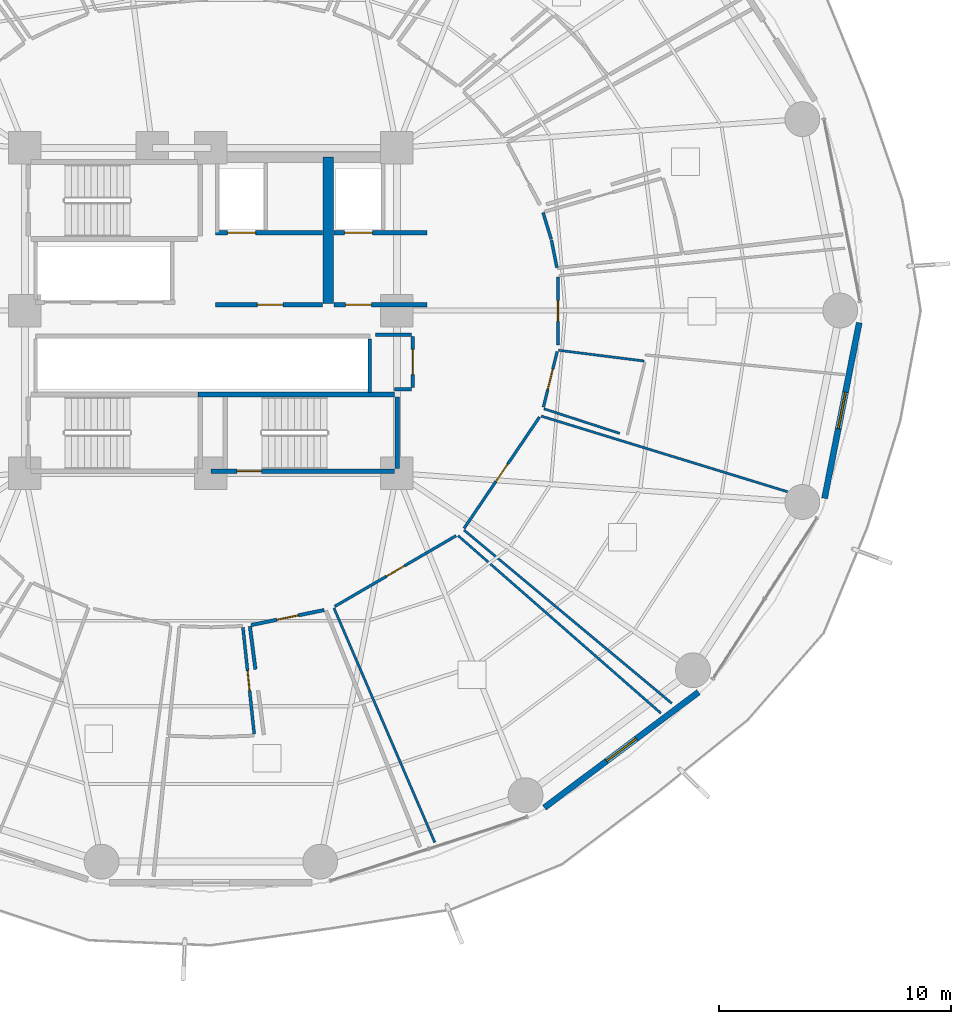
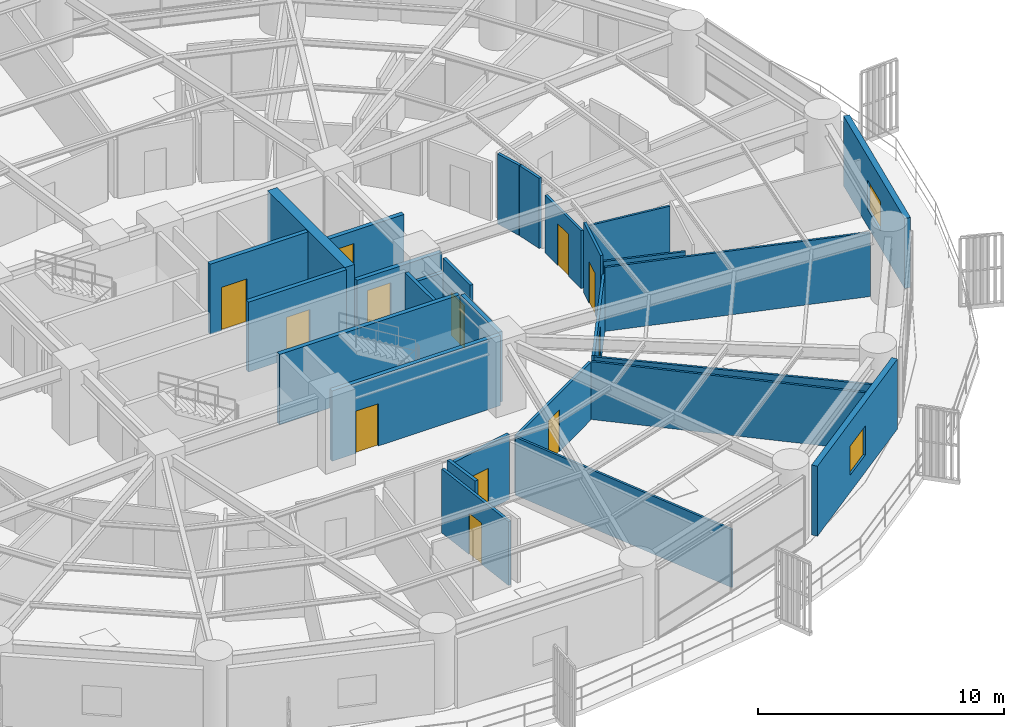
# One storey, part 24 of 32: 29 walls, 12 doors, 2 windows, 14 openings.
"""IFC4 building model written with IfcOpenShell, lengths in metres."""

import ifcopenshell
import ifcopenshell.guid

model = None  # the IFC model being written
_history = None  # IfcOwnerHistory: only IFC2X3 demands one
_inside = {}  # id of a spatial element -> (the spatial element, [elements in it])
_under = {}  # id of a project, library or spatial element -> (it, [spatial elements below it])
_declared = {}  # id of a project -> (the project, [libraries it declares])
_typed = {}  # id of a type object -> (the type object, [elements of that type])
_made_of = {}  # id of a material, layer set ... -> (it, [elements and type objects made of it])


def new_model(schema):
    """Start an empty IFC model of exactly this schema.

    Asked for "IFC4X3", IfcOpenShell would pick the latest addendum, in which some entities
    have other attributes; the version numbers below select the first issue.
    IFC2X3 requires an IfcOwnerHistory on every rooted entity: one is made here for all.
    """
    global model, _history
    if schema == "IFC4X3":
        model = ifcopenshell.file(schema_version=(4, 3, 0, 0))
    else:
        model = ifcopenshell.file(schema=schema)
    _inside.clear()
    _under.clear()
    _declared.clear()
    _typed.clear()
    _made_of.clear()
    _history = None
    if model.schema == "IFC2X3":
        org = make("IfcOrganization", Name="unknown")
        user = make(
            "IfcPersonAndOrganization",
            ThePerson=make("IfcPerson", FamilyName="unknown"),
            TheOrganization=org,
        )
        app = make(
            "IfcApplication",
            ApplicationDeveloper=org,
            Version="unknown",
            ApplicationFullName="unknown",
            ApplicationIdentifier="unknown",
        )
        _history = make(
            "IfcOwnerHistory",
            OwningUser=user,
            OwningApplication=app,
            ChangeAction="ADDED",
            CreationDate=0,
        )
    return model


def make(cls, **values):
    """One entity of the class cls with the attributes given. An attribute that is None is left unset."""
    return model.create_entity(
        cls, **{name: value for name, value in values.items() if value is not None}
    )


def rooted(cls, **values):
    """An entity with a GlobalId (a new one), such as an element, a storey or a relation."""
    return make(cls, GlobalId=ifcopenshell.guid.new(), OwnerHistory=_history, **values)


def si_unit(unit_type, name, prefix=None):
    """IfcSIUnit, for example si_unit("LENGTHUNIT", "METRE", prefix="MILLI")."""
    return make("IfcSIUnit", UnitType=unit_type, Prefix=prefix, Name=name)


def assignment(units):
    """IfcUnitAssignment: the units of a project."""
    return None if units is None else make("IfcUnitAssignment", Units=units)


def point(xyz):
    """IfcCartesianPoint."""
    return None if xyz is None else make("IfcCartesianPoint", Coordinates=xyz)


def direction(xyz):
    """IfcDirection."""
    return None if xyz is None else make("IfcDirection", DirectionRatios=xyz)


def frame(location, z_axis=None, x_axis=None):
    """IfcAxis2Placement3D, a coordinate frame: its origin and axes. An axis left out is left unset."""
    return make(
        "IfcAxis2Placement3D",
        Location=point(location),
        Axis=direction(z_axis),
        RefDirection=direction(x_axis),
    )


def frame_2d(location, x_axis=None):
    """IfcAxis2Placement2D, a coordinate frame in the plane: its origin and x axis."""
    return make(
        "IfcAxis2Placement2D", Location=point(location), RefDirection=direction(x_axis)
    )


def origin():
    """The frame at (0, 0, 0) with its axes left unset."""
    return frame((0.0, 0.0, 0.0))


def place(relative_to, where):
    """IfcLocalPlacement: puts the frame where relative to a parent placement (None: the world)."""
    return make(
        "IfcLocalPlacement", PlacementRelTo=relative_to, RelativePlacement=where
    )


def context(
    kind, dimensions, precision=None, world=None, true_north=None, identifier=None
):
    """IfcGeometricRepresentationContext, for example the 3D "Model" context."""
    return make(
        "IfcGeometricRepresentationContext",
        ContextIdentifier=identifier,
        ContextType=kind,
        CoordinateSpaceDimension=dimensions,
        Precision=precision,
        WorldCoordinateSystem=world,
        TrueNorth=true_north,
    )


def subcontext(parent, identifier, kind, view, scale=None):
    """IfcGeometricRepresentationSubContext, for example "Body" below "Model"."""
    return make(
        "IfcGeometricRepresentationSubContext",
        ContextIdentifier=identifier,
        ContextType=kind,
        ParentContext=parent,
        TargetScale=scale,
        TargetView=view,
    )


def project(units=None, contexts=None):
    """IfcProject with its units and contexts."""
    return rooted(
        "IfcProject",
        Name="project",
        RepresentationContexts=contexts,
        UnitsInContext=assignment(units),
    )


def spatial(cls, under=None, at=None, **own):
    """A site, building, storey or space (cls), placed at a placement, below another one or the project."""
    s = rooted(cls, ObjectPlacement=at, **own)
    if under is not None:
        _under.setdefault(under.id(), (under, []))[1].append(s)
    return s


def profile(cls, at=None, kind="AREA", **sizes):
    """A parametric profile (cls). Its sizes go by their IFC names, for example OverallWidth=200.0."""
    return make(cls, ProfileType=kind, Position=at, **sizes)


def rectangle(**sizes):
    """IfcRectangleProfileDef."""
    return profile("IfcRectangleProfileDef", **sizes)


def extrude(swept, where, along, depth):
    """IfcExtrudedAreaSolid: the profile swept, set in the frame where, extruded along a direction by depth."""
    return make(
        "IfcExtrudedAreaSolid",
        SweptArea=swept,
        Position=where,
        ExtrudedDirection=direction(along),
        Depth=depth,
    )


def shape(context_of_items, identifier, shape_type, items):
    """IfcShapeRepresentation: the items that make up one representation, for example the "Body"."""
    return make(
        "IfcShapeRepresentation",
        ContextOfItems=context_of_items,
        RepresentationIdentifier=identifier,
        RepresentationType=shape_type,
        Items=items,
    )


def material(Name=None, Category=None):
    """IfcMaterial."""
    return make("IfcMaterial", Name=Name, Category=Category)


def layer(
    of_material, thickness, ventilated=None, Name=None, Category=None, Priority=None
):
    """IfcMaterialLayer: one layer of a wall or slab, of a material (None: an air gap)."""
    return make(
        "IfcMaterialLayer",
        Material=of_material,
        LayerThickness=thickness,
        IsVentilated=ventilated,
        Name=Name,
        Category=Category,
        Priority=Priority,
    )


def layer_set(layers, Name=None):
    """IfcMaterialLayerSet."""
    return make("IfcMaterialLayerSet", MaterialLayers=layers, LayerSetName=Name)


def made_of(thing, what):
    """Note that an element or type object is made of a material, layer set ...; save() writes the relation."""
    if what is not None:
        _made_of.setdefault(what.id(), (what, []))[1].append(thing)
    return thing


def type_object(cls, material=None, **own):
    """A type object (cls), such as IfcWallType, which elements share."""
    return made_of(rooted(cls, **own), material)


def element(
    cls,
    number,
    at=None,
    inside=None,
    cuts=None,
    type_object=None,
    material=None,
    context=None,
    identifier="Body",
    shape_type=None,
    held_by="IfcProductDefinitionShape",
    body=None,
    shapes=None,
    **own,
):
    """One element of the class cls, such as IfcWall. Its Tag is "e" and its number.

    at: its placement. inside: the storey or other place that contains it. cuts: it is an
    opening in that element (IfcRelVoidsElement). A single representation is given by context,
    identifier, shape_type and body (its items); several are given by shapes. held_by: the class
    of the entity that holds the representations. save() writes the other relations.
    """
    e = rooted(cls, Tag="e%d" % number, ObjectPlacement=at, **own)
    if body is not None:
        shapes = [shape(context, identifier, shape_type, body)]
    if shapes is not None:
        e.Representation = make(held_by, Representations=shapes)
    if inside is not None:
        _inside.setdefault(inside.id(), (inside, []))[1].append(e)
    if cuts is not None:
        rooted(
            "IfcRelVoidsElement", RelatingBuildingElement=cuts, RelatedOpeningElement=e
        )
    if type_object is not None:
        _typed.setdefault(type_object.id(), (type_object, []))[1].append(e)
    return made_of(e, material)


def fill(opening, filler):
    """IfcRelFillsElement: the door or window that sits in an opening."""
    return rooted(
        "IfcRelFillsElement",
        RelatingOpeningElement=opening,
        RelatedBuildingElement=filler,
    )


def aggregate(whole, parts):
    """IfcRelAggregates: a whole, such as a stair, and the parts it consists of."""
    return rooted("IfcRelAggregates", RelatingObject=whole, RelatedObjects=parts)


def save(model, path):
    """Write the relations noted so far, then the file.

    IfcRelAggregates (storeys below a building ...), IfcRelContainedInSpatialStructure (elements
    in a storey), IfcRelDefinesByType, IfcRelAssociatesMaterial and IfcRelDeclares: one each for
    every whole, place, type object, material and project.
    """
    for whole, parts in _under.values():
        aggregate(whole, parts)
    for where, things in _inside.values():
        rooted(
            "IfcRelContainedInSpatialStructure",
            RelatedElements=things,
            RelatingStructure=where,
        )
    for kind, things in _typed.values():
        rooted("IfcRelDefinesByType", RelatedObjects=things, RelatingType=kind)
    for what, things in _made_of.values():
        rooted("IfcRelAssociatesMaterial", RelatedObjects=things, RelatingMaterial=what)
    for by, libraries in _declared.values():
        rooted("IfcRelDeclares", RelatingContext=by, RelatedDefinitions=libraries)
    model.write(path)


model = new_model("IFC4")

# Units and contexts
model_context = context("Model", 3, precision=1e-05, world=origin(), true_north=direction((0.0, 1.0)))
body_context = subcontext(model_context, "Body", "Model", "MODEL_VIEW")
ifc_project = project(units=[si_unit("LENGTHUNIT", "METRE"), si_unit("AREAUNIT", "SQUARE_METRE"), si_unit("VOLUMEUNIT", "CUBIC_METRE"), si_unit("PLANEANGLEUNIT", "RADIAN"), si_unit("MASSUNIT", "GRAM", prefix="KILO")], contexts=[model_context])

# Site, building, storey
site_placement = place(None, origin())
site = spatial("IfcSite", under=ifc_project, at=site_placement, CompositionType="ELEMENT")
building_placement = place(site_placement, origin())
building = spatial("IfcBuilding", under=site, at=building_placement, Name="Kelanora Arch Commons", CompositionType="ELEMENT")
storey_placement = place(building_placement, frame((0.0, 0.0, 52.5)))
storey = spatial("IfcBuildingStorey", under=building, at=storey_placement, Name="L13", CompositionType="ELEMENT", Elevation=52.5)

# Wall
ifc_material_1 = material(Name="Autoclaved aerated concrete blockwork with fire plaster", Category="masonry")
ifc_layer_1 = layer(ifc_material_1, 0.14990234375)
ifc_layer_set_1 = layer_set([ifc_layer_1], Name="Autoclaved aerated concrete blockwork with fire plaster")
wall_type_1 = type_object("IfcWallType", Name="W-COMP-150", PredefinedType="PARTITIONING", material=ifc_layer_set_1)
wall_1_placement = place(storey_placement, frame((80.840087890625, 54.47998046875, 0.0), z_axis=(0.0, 0.0, 1.0), x_axis=(0.0, 1.0, 0.0)))
element("IfcWall", 1, at=wall_1_placement, inside=storey, type_object=wall_type_1, Name="South Lift Bank East Wall L13", PredefinedType="PARTITIONING", context=body_context, shape_type="SweptSolid", body=[
    extrude(rectangle(XDim=2.2900390625, YDim=0.14990234375, at=frame_2d((1.14501953125, 0.0))), origin(), (0.0, 0.0, 1.0), 3.47998046875),
])

# Wall, opening, door
wall_2_placement = place(storey_placement, frame((82.679931640625, 54.679931640625, 0.0), z_axis=(0.0, 0.0, 1.0), x_axis=(0.0, 1.0, 0.0)))
wall_2 = element("IfcWall", 2, at=wall_2_placement, inside=storey, type_object=wall_type_1, Name="Core Housekeeping Store L13 Entry Partition", PredefinedType="PARTITIONING", context=body_context, shape_type="SweptSolid", body=[
    extrude(rectangle(XDim=2.2099609375, YDim=0.14990234375, at=frame_2d((1.10498046875, 0.0))), origin(), (0.0, 0.0, 1.0), 3.47998046875),
])
opening_1_placement = place(wall_2_placement, frame((0.56494140625, 0.0, 0.0)))
opening_1 = element("IfcOpeningElement", 3, at=opening_1_placement, cuts=wall_2, Name="Opening D-PLT1", PredefinedType="OPENING", context=body_context, shape_type="SweptSolid", body=[
    extrude(rectangle(XDim=1.080078125, YDim=2.10009765625, at=frame_2d((0.5400390625, 1.050048828125))), frame((0.0, 0.0849609375, 0.0), z_axis=(0.0, -1.0, 0.0), x_axis=(1.0, 0.0, 0.0)), (0.0, 0.0, 1.0), 0.169921875),
])
ifc_material_2 = material(Name="Galvanised steel plant and riser fire door", Category="steel")
door_type_1 = type_object("IfcDoorType", Name="D-PLT-110", OperationType="NOTDEFINED", PredefinedType="DOOR", material=ifc_material_2)
door_1_placement = place(opening_1_placement, origin())
door_1 = element("IfcDoor", 4, at=door_1_placement, inside=storey, type_object=door_type_1, Name="Core Housekeeping Store L13 Door", OperationType="SINGLE_SWING_LEFT", OverallHeight=2.10009765625, OverallWidth=1.080078125, PredefinedType="DOOR", context=body_context, shape_type="SweptSolid", body=[
    extrude(rectangle(XDim=1.080078125, YDim=2.10009765625, at=frame_2d((0.5400390625, 1.050048828125))), frame((0.0, 0.02490234375, 0.0), z_axis=(0.0, -1.0, 0.0), x_axis=(1.0, 0.0, 0.0)), (0.0, 0.0, 1.0), 0.050048828125),
])
fill(opening_1, door_1)

wall_3_placement = place(storey_placement, frame((75.731689453125, 44.467041015625, 0.0), z_axis=(0.0, 0.0, 1.0), x_axis=(0.979521553546, 0.201339330831, 0.0)))
wall_3 = element("IfcWall", 5, at=wall_3_placement, inside=storey, type_object=wall_type_1, Name="Co-Living Studio L13-11 Entry Partition", PredefinedType="PARTITIONING", context=body_context, shape_type="SweptSolid", body=[
    extrude(rectangle(XDim=3.207275390625, YDim=0.14990234375, at=frame_2d((1.603515625, 0.0))), origin(), (0.0, 0.0, 1.0), 3.235107421875),
])
opening_2_placement = place(wall_3_placement, frame((1.12890625, 0.0, 0.0)))
opening_2 = element("IfcOpeningElement", 6, at=opening_2_placement, cuts=wall_3, Name="Opening D-CLU1", PredefinedType="OPENING", context=body_context, shape_type="SweptSolid", body=[
    extrude(rectangle(XDim=0.949951171875, YDim=2.080078125, at=frame_2d((0.47509765625, 1.0400390625))), frame((0.0, 0.0849609375, 0.0), z_axis=(0.0, -1.0, 0.0), x_axis=(1.0, 0.0, 0.0)), (0.0, 0.0, 1.0), 0.169921875),
])
ifc_material_3 = material(Name="Solid-core acoustic timber cluster entry fire door", Category="wood")
door_type_2 = type_object("IfcDoorType", Name="D-CLU-95", OperationType="NOTDEFINED", PredefinedType="DOOR", material=ifc_material_3)
door_2_placement = place(opening_2_placement, origin())
door_2 = element("IfcDoor", 7, at=door_2_placement, inside=storey, type_object=door_type_2, Name="Co-Living Studio L13-11 Door", OperationType="SINGLE_SWING_RIGHT", OverallHeight=2.080078125, OverallWidth=0.949951171875, PredefinedType="DOOR", context=body_context, shape_type="SweptSolid", body=[
    extrude(rectangle(XDim=0.949951171875, YDim=2.080078125, at=frame_2d((0.47509765625, 1.0400390625))), frame((0.0, 0.02490234375, 0.0), z_axis=(0.0, -1.0, 0.0), x_axis=(1.0, 0.0, 0.0)), (0.0, 0.0, 1.0), 0.050048828125),
])
fill(opening_2, door_2)

# Walls
wall_4_placement = place(storey_placement, frame((81.89990234375, 54.6201171875, 0.0), z_axis=(0.0, 0.0, 1.0), x_axis=(1.0, 0.0, 0.0)))
element("IfcWall", 8, at=wall_4_placement, inside=storey, type_object=wall_type_1, Name="Core Housekeeping Store L13 Enclosure Partition 1", PredefinedType="PARTITIONING", context=body_context, shape_type="SweptSolid", body=[
    extrude(rectangle(XDim=0.739990234375, YDim=0.14990234375, at=frame_2d((0.3701171875, 0.0))), origin(), (0.0, 0.0, 1.0), 2.77490234375),
])
wall_5_placement = place(storey_placement, frame((82.639892578125, 56.949951171875, 0.0), z_axis=(0.0, 0.0, 1.0), x_axis=(-1.0, 0.0, 0.0)))
element("IfcWall", 9, at=wall_5_placement, inside=storey, type_object=wall_type_1, Name="Core Housekeeping Store L13 Enclosure Partition 3", PredefinedType="PARTITIONING", context=body_context, shape_type="SweptSolid", body=[
    extrude(rectangle(XDim=1.5498046875, YDim=0.14990234375, at=frame_2d((0.77490234375, 0.0))), origin(), (0.0, 0.0, 1.0), 2.77490234375),
])
wall_6_placement = place(storey_placement, frame((75.916015625, 42.563720703125, 0.0), z_axis=(0.0, 0.0, 1.0), x_axis=(-0.127510715089, 0.99183719306, 0.0)))
element("IfcWall", 10, at=wall_6_placement, inside=storey, type_object=wall_type_1, Name="Co-Living Studio L13-11 Enclosure Partition 7", PredefinedType="PARTITIONING", context=body_context, shape_type="SweptSolid", body=[
    extrude(rectangle(XDim=1.86669921875, YDim=0.14990234375, at=frame_2d((0.933349609375, 0.0))), origin(), (0.0, 0.0, 1.0), 3.47998046875),
])
ifc_material_4 = material(Name="Concrete C60/75", Category="concrete")
ifc_layer_2 = layer(ifc_material_4, 0.449951171875)
ifc_layer_set_2 = layer_set([ifc_layer_2], Name="Concrete C60/75")
wall_type_2 = type_object("IfcWallType", Name="W-CORE-450", PredefinedType="SHEAR", material=ifc_layer_set_2)
wall_7_placement = place(storey_placement, frame((79.050048828125, 58.300048828125, 0.0), z_axis=(0.0, 0.0, 1.0), x_axis=(0.0, 1.0, 0.0)))
element("IfcWall", 11, at=wall_7_placement, inside=storey, type_object=wall_type_2, Name="Core Shear Spine L13-CE-N", PredefinedType="SHEAR", context=body_context, shape_type="SweptSolid", body=[
    extrude(rectangle(XDim=6.300048828125, YDim=0.449951171875, at=frame_2d((3.14990234375, 0.0))), origin(), (0.0, 0.0, 1.0), 3.489990234375),
])

# Wall, opening, window
ifc_material_5 = material(Name="Precast concrete C40/50 with terracotta rainscreen", Category="masonry")
ifc_layer_3 = layer(ifc_material_5, 0.260009765625)
ifc_layer_set_3 = layer_set([ifc_layer_3], Name="Precast concrete C40/50 with terracotta rainscreen")
wall_type_3 = type_object("IfcWallType", Name="W-EXT-TC", PredefinedType="SOLIDWALL", material=ifc_layer_set_3)
wall_8_placement = place(storey_placement, frame((88.348876953125, 36.61083984375, 0.0), z_axis=(0.0, 0.0, 1.0), x_axis=(0.80030733173, 0.599590005569, 0.0)))
wall_8 = element("IfcWall", 12, at=wall_8_placement, inside=storey, type_object=wall_type_3, Name="Terracotta Exterior Wall L13-B15", PredefinedType="SOLIDWALL", context=body_context, shape_type="SweptSolid", body=[
    extrude(rectangle(XDim=8.29052734375, YDim=0.260009765625, at=frame_2d((4.145263671875, 0.0))), origin(), (0.0, 0.0, 1.0), 3.47509765625),
])
opening_3_placement = place(wall_8_placement, frame((3.344970703125, 0.0, 0.85009765625)))
opening_3 = element("IfcOpeningElement", 13, at=opening_3_placement, cuts=wall_8, Name="Opening WN-01", PredefinedType="OPENING", context=body_context, shape_type="SweptSolid", body=[
    extrude(rectangle(XDim=1.60009765625, YDim=1.449951171875, at=frame_2d((0.800048828125, 0.72509765625))), frame((0.0, 0.14013671875, 0.0), z_axis=(0.0, -1.0, 0.0), x_axis=(1.0, 0.0, 0.0)), (0.0, 0.0, 1.0), 0.280029296875),
])
ifc_material_6 = material(Name="Terracotta-anodised aluminium frame with operable low-E glazing", Category="masonry")
window_type = type_object("IfcWindowType", Name="WIN-CL-18", PartitioningType="DOUBLE_PANEL_VERTICAL", PredefinedType="WINDOW", material=ifc_material_6)
window_1_placement = place(opening_3_placement, origin())
window_1 = element("IfcWindow", 14, at=window_1_placement, inside=storey, type_object=window_type, Name="Co-Living Operable Window L13-B15", OverallHeight=1.449951171875, OverallWidth=1.60009765625, PartitioningType="SINGLE_PANEL", PredefinedType="WINDOW", context=body_context, shape_type="SweptSolid", body=[
    extrude(rectangle(XDim=1.60009765625, YDim=1.449951171875, at=frame_2d((0.800048828125, 0.72509765625))), frame((0.0, 0.030029296875, 0.0), z_axis=(0.0, -1.0, 0.0), x_axis=(1.0, 0.0, 0.0)), (0.0, 0.0, 1.0), 0.06005859375),
])
fill(opening_3, window_1)

wall_9_placement = place(storey_placement, frame((100.404296875, 49.919921875, 0.0), z_axis=(0.0, 0.0, 1.0), x_axis=(0.193726159581, 0.98105564322, 0.0)))
wall_9 = element("IfcWall", 15, at=wall_9_placement, inside=storey, type_object=wall_type_3, Name="Terracotta Exterior Wall L13-B17", PredefinedType="SOLIDWALL", context=body_context, shape_type="SweptSolid", body=[
    extrude(rectangle(XDim=7.70263671875, YDim=0.260009765625, at=frame_2d((3.851318359375, 0.0))), origin(), (0.0, 0.0, 1.0), 3.47509765625),
])
opening_4_placement = place(wall_9_placement, frame((3.051025390625, 0.0, 0.85009765625)))
opening_4 = element("IfcOpeningElement", 16, at=opening_4_placement, cuts=wall_9, Name="Opening WN-01", PredefinedType="OPENING", context=body_context, shape_type="SweptSolid", body=[
    extrude(rectangle(XDim=1.60009765625, YDim=1.449951171875, at=frame_2d((0.800048828125, 0.72509765625))), frame((0.0, 0.14013671875, 0.0), z_axis=(0.0, -1.0, 0.0), x_axis=(1.0, 0.0, 0.0)), (0.0, 0.0, 1.0), 0.280029296875),
])
window_2_placement = place(opening_4_placement, origin())
window_2 = element("IfcWindow", 17, at=window_2_placement, inside=storey, type_object=window_type, Name="Co-Living Operable Window L13-B17", OverallHeight=1.449951171875, OverallWidth=1.60009765625, PartitioningType="SINGLE_PANEL", PredefinedType="WINDOW", context=body_context, shape_type="SweptSolid", body=[
    extrude(rectangle(XDim=1.60009765625, YDim=1.449951171875, at=frame_2d((0.800048828125, 0.72509765625))), frame((0.0, 0.030029296875, 0.0), z_axis=(0.0, -1.0, 0.0), x_axis=(1.0, 0.0, 0.0)), (0.0, 0.0, 1.0), 0.06005859375),
])
fill(opening_4, window_2)

# Wall, opening, door
ifc_material_7 = material(Name="Concrete C40/50", Category="concrete")
ifc_layer_4 = layer(ifc_material_7, 0.199951171875)
ifc_layer_set_4 = layer_set([ifc_layer_4], Name="Concrete C40/50")
wall_type_4 = type_object("IfcWallType", Name="W-FFL-200", PredefinedType="SOLIDWALL", material=ifc_layer_set_4)
wall_10_placement = place(storey_placement, frame((74.199951171875, 61.35009765625, 0.0), z_axis=(0.0, 0.0, 1.0), x_axis=(1.0, 0.0, 0.0)))
wall_10 = element("IfcWall", 18, at=wall_10_placement, inside=storey, type_object=wall_type_4, Name="Firefighting Lift 1 Shaft Front L13", PredefinedType="SOLIDWALL", context=body_context, shape_type="SweptSolid", body=[
    extrude(rectangle(XDim=4.60009765625, YDim=0.199951171875, at=frame_2d((2.300048828125, 0.0))), origin(), (0.0, 0.0, 1.0), 3.47998046875),
])
opening_5_placement = place(wall_10_placement, frame((0.52001953125, 0.0, 0.0)))
opening_5 = element("IfcOpeningElement", 19, at=opening_5_placement, cuts=wall_10, Name="Opening LD-FF", PredefinedType="OPENING", context=body_context, shape_type="SweptSolid", body=[
    extrude(rectangle(XDim=1.199951171875, YDim=2.14990234375, at=frame_2d((0.60009765625, 1.074951171875))), frame((0.0, 0.10986328125, 0.0), z_axis=(0.0, -1.0, 0.0), x_axis=(1.0, 0.0, 0.0)), (0.0, 0.0, 1.0), 0.219970703125),
])
ifc_material_8 = material(Name="Fire-rated firefighters lift sliding landing door")
door_type_3 = type_object("IfcDoorType", Name="D-LIFT-FF", OperationType="NOTDEFINED", PredefinedType="DOOR", material=ifc_material_8)
door_3_placement = place(opening_5_placement, origin())
door_3 = element("IfcDoor", 20, at=door_3_placement, inside=storey, type_object=door_type_3, Name="Firefighting Lift LF-FF1 Landing Door L13", OperationType="DOUBLE_DOOR_SLIDING", OverallHeight=2.14990234375, OverallWidth=1.199951171875, PredefinedType="DOOR", context=body_context, shape_type="SweptSolid", body=[
    extrude(rectangle(XDim=1.199951171875, YDim=2.14990234375, at=frame_2d((0.60009765625, 1.074951171875))), frame((0.0, 0.02490234375, 0.0), z_axis=(0.0, -1.0, 0.0), x_axis=(1.0, 0.0, 0.0)), (0.0, 0.0, 1.0), 0.050048828125),
])
fill(opening_5, door_3)

wall_11_placement = place(storey_placement, frame((79.300048828125, 61.35009765625, 0.0), z_axis=(0.0, 0.0, 1.0), x_axis=(1.0, 0.0, 0.0)))
wall_11 = element("IfcWall", 21, at=wall_11_placement, inside=storey, type_object=wall_type_4, Name="Firefighting Lift 2 Shaft Front L13", PredefinedType="SOLIDWALL", context=body_context, shape_type="SweptSolid", body=[
    extrude(rectangle(XDim=4.0, YDim=0.199951171875, at=frame_2d((2.0, 0.0))), origin(), (0.0, 0.0, 1.0), 2.77490234375),
])
opening_6_placement = place(wall_11_placement, frame((0.449951171875, 0.0, 0.0)))
opening_6 = element("IfcOpeningElement", 22, at=opening_6_placement, cuts=wall_11, Name="Opening LD-FF", PredefinedType="OPENING", context=body_context, shape_type="SweptSolid", body=[
    extrude(rectangle(XDim=1.199951171875, YDim=2.14990234375, at=frame_2d((0.60009765625, 1.074951171875))), frame((0.0, 0.10986328125, 0.0), z_axis=(0.0, -1.0, 0.0), x_axis=(1.0, 0.0, 0.0)), (0.0, 0.0, 1.0), 0.219970703125),
])
door_4_placement = place(opening_6_placement, origin())
door_4 = element("IfcDoor", 23, at=door_4_placement, inside=storey, type_object=door_type_3, Name="Firefighting Lift LF-FF2 Landing Door L13", OperationType="DOUBLE_DOOR_SLIDING", OverallHeight=2.14990234375, OverallWidth=1.199951171875, PredefinedType="DOOR", context=body_context, shape_type="SweptSolid", body=[
    extrude(rectangle(XDim=1.199951171875, YDim=2.14990234375, at=frame_2d((0.60009765625, 1.074951171875))), frame((0.0, 0.02490234375, 0.0), z_axis=(0.0, -1.0, 0.0), x_axis=(1.0, 0.0, 0.0)), (0.0, 0.0, 1.0), 0.050048828125),
])
fill(opening_6, door_4)

wall_12_placement = place(storey_placement, frame((74.199951171875, 58.25, 0.0), z_axis=(0.0, 0.0, 1.0), x_axis=(1.0, 0.0, 0.0)))
wall_12 = element("IfcWall", 24, at=wall_12_placement, inside=storey, type_object=wall_type_4, Name="Firefighting Lobby 1 Enclosure Wall L13", PredefinedType="SOLIDWALL", context=body_context, shape_type="SweptSolid", body=[
    extrude(rectangle(XDim=4.60009765625, YDim=0.199951171875, at=frame_2d((2.300048828125, 0.0))), origin(), (0.0, 0.0, 1.0), 3.47998046875),
])
opening_7_placement = place(wall_12_placement, frame((1.800048828125, 0.0, 0.0)))
opening_7 = element("IfcOpeningElement", 25, at=opening_7_placement, cuts=wall_12, Name="Opening D-FFL1", PredefinedType="OPENING", context=body_context, shape_type="SweptSolid", body=[
    extrude(rectangle(XDim=1.10009765625, YDim=2.10009765625, at=frame_2d((0.550048828125, 1.050048828125))), frame((0.0, 0.10986328125, 0.0), z_axis=(0.0, -1.0, 0.0), x_axis=(1.0, 0.0, 0.0)), (0.0, 0.0, 1.0), 0.219970703125),
])
ifc_material_9 = material(Name="Smoke-sealed firefighting lobby fire door")
door_type_4 = type_object("IfcDoorType", Name="D-FFL-110", OperationType="NOTDEFINED", PredefinedType="DOOR", material=ifc_material_9)
door_5_placement = place(opening_7_placement, frame((1.10009765625, 0.0, 0.0), z_axis=(0.0, 0.0, 1.0), x_axis=(-1.0, 0.0, 0.0)))
door_5 = element("IfcDoor", 26, at=door_5_placement, inside=storey, type_object=door_type_4, Name="Firefighting Lobby 1 Door L13", OperationType="SINGLE_SWING_LEFT", OverallHeight=2.10009765625, OverallWidth=1.10009765625, PredefinedType="DOOR", context=body_context, shape_type="SweptSolid", body=[
    extrude(rectangle(XDim=1.10009765625, YDim=2.10009765625, at=frame_2d((0.550048828125, 1.050048828125))), frame((0.0, 0.02490234375, 0.0), z_axis=(0.0, -1.0, 0.0), x_axis=(1.0, 0.0, 0.0)), (0.0, 0.0, 1.0), 0.050048828125),
])
fill(opening_7, door_5)

wall_13_placement = place(storey_placement, frame((79.300048828125, 58.25, 0.0), z_axis=(0.0, 0.0, 1.0), x_axis=(1.0, 0.0, 0.0)))
wall_13 = element("IfcWall", 27, at=wall_13_placement, inside=storey, type_object=wall_type_4, Name="Firefighting Lobby 2 Enclosure Wall L13", PredefinedType="SOLIDWALL", context=body_context, shape_type="SweptSolid", body=[
    extrude(rectangle(XDim=4.0, YDim=0.199951171875, at=frame_2d((2.0, 0.0))), origin(), (0.0, 0.0, 1.0), 2.77490234375),
])
opening_8_placement = place(wall_13_placement, frame((0.5, 0.0, 0.0)))
opening_8 = element("IfcOpeningElement", 28, at=opening_8_placement, cuts=wall_13, Name="Opening D-FFL1", PredefinedType="OPENING", context=body_context, shape_type="SweptSolid", body=[
    extrude(rectangle(XDim=1.10009765625, YDim=2.10009765625, at=frame_2d((0.550048828125, 1.050048828125))), frame((0.0, 0.10986328125, 0.0), z_axis=(0.0, -1.0, 0.0), x_axis=(1.0, 0.0, 0.0)), (0.0, 0.0, 1.0), 0.219970703125),
])
door_6_placement = place(opening_8_placement, frame((1.10009765625, 0.0, 0.0), z_axis=(0.0, 0.0, 1.0), x_axis=(-1.0, 0.0, 0.0)))
door_6 = element("IfcDoor", 29, at=door_6_placement, inside=storey, type_object=door_type_4, Name="Firefighting Lobby 2 Door L13", OperationType="SINGLE_SWING_RIGHT", OverallHeight=2.10009765625, OverallWidth=1.10009765625, PredefinedType="DOOR", context=body_context, shape_type="SweptSolid", body=[
    extrude(rectangle(XDim=1.10009765625, YDim=2.10009765625, at=frame_2d((0.550048828125, 1.050048828125))), frame((0.0, 0.02490234375, 0.0), z_axis=(0.0, -1.0, 0.0), x_axis=(1.0, 0.0, 0.0)), (0.0, 0.0, 1.0), 0.050048828125),
])
fill(opening_8, door_6)

# Walls
ifc_material_10 = material(Name="Lightweight fire-rated acoustic stud partition")
ifc_layer_5 = layer(ifc_material_10, 0.10009765625)
ifc_layer_set_5 = layer_set([ifc_layer_5], Name="Lightweight fire-rated acoustic stud partition")
wall_type_5 = type_object("IfcWallType", Name="W-PART-100", PredefinedType="PARTITIONING", material=ifc_layer_set_5)
wall_14_placement = place(storey_placement, frame((84.634033203125, 48.314697265625, 0.0), z_axis=(0.0, 0.0, 1.0), x_axis=(0.752403187404, -0.658702849231, 0.0)))
element("IfcWall", 30, at=wall_14_placement, inside=storey, type_object=wall_type_5, Name="Quiet Seminar Study Room L13-12 Enclosure Partition 2", PredefinedType="PARTITIONING", context=body_context, shape_type="SweptSolid", body=[
    extrude(rectangle(XDim=11.5947265625, YDim=0.10009765625, at=frame_2d((5.79736328125, 0.0))), origin(), (0.0, 0.0, 1.0), 2.875),
])
wall_15_placement = place(storey_placement, frame((83.63330078125, 35.11572265625, 0.0), z_axis=(0.0, 0.0, 1.0), x_axis=(-0.395239231563, 0.918578221946, 0.0)))
element("IfcWall", 31, at=wall_15_placement, inside=storey, type_object=wall_type_5, Name="Quiet Seminar Study Room L13-12 Enclosure Partition 4", PredefinedType="PARTITIONING", context=body_context, shape_type="SweptSolid", body=[
    extrude(rectangle(XDim=10.979736328125, YDim=0.10009765625, at=frame_2d((5.48974609375, 0.0))), origin(), (0.0, 0.0, 1.0), 2.875),
])
wall_16_placement = place(storey_placement, frame((88.213134765625, 53.457275390625, 0.0), z_axis=(0.0, 0.0, 1.0), x_axis=(0.955941269752, -0.29355798198, 0.0)))
element("IfcWall", 32, at=wall_16_placement, inside=storey, type_object=wall_type_5, Name="Quiet Seminar Study Room L13-13 Enclosure Partition 2", PredefinedType="PARTITIONING", context=body_context, shape_type="SweptSolid", body=[
    extrude(rectangle(XDim=11.08349609375, YDim=0.10009765625, at=frame_2d((5.541748046875, 0.0))), origin(), (0.0, 0.0, 1.0), 3.175048828125),
])
wall_17_placement = place(storey_placement, frame((93.827392578125, 41.103515625, 0.0), z_axis=(0.0, 0.0, 1.0), x_axis=(-0.768116338219, 0.640310308336, 0.0)))
element("IfcWall", 33, at=wall_17_placement, inside=storey, type_object=wall_type_5, Name="Quiet Seminar Study Room L13-13 Enclosure Partition 4", PredefinedType="PARTITIONING", context=body_context, shape_type="SweptSolid", body=[
    extrude(rectangle(XDim=11.63330078125, YDim=0.10009765625, at=frame_2d((5.816650390625, 0.0))), origin(), (0.0, 0.0, 1.0), 2.875),
])
wall_18_placement = place(storey_placement, frame((88.95166015625, 56.291015625, 0.0), z_axis=(0.0, 0.0, 1.0), x_axis=(0.992185717147, -0.124769798789, 0.0)))
element("IfcWall", 34, at=wall_18_placement, inside=storey, type_object=wall_type_5, Name="Student Laundry Room L13-14 Enclosure Partition 2", PredefinedType="PARTITIONING", context=body_context, shape_type="SweptSolid", body=[
    extrude(rectangle(XDim=3.7197265625, YDim=0.10009765625, at=frame_2d((1.85986328125, 0.0))), origin(), (0.0, 0.0, 1.0), 3.235107421875),
])
wall_19_placement = place(storey_placement, frame((91.585205078125, 52.714599609375, 0.0), z_axis=(0.0, 0.0, 1.0), x_axis=(-0.950990540972, 0.309219971834, 0.0)))
element("IfcWall", 35, at=wall_19_placement, inside=storey, type_object=wall_type_5, Name="Student Laundry Room L13-14 Enclosure Partition 4", PredefinedType="PARTITIONING", context=body_context, shape_type="SweptSolid", body=[
    extrude(rectangle(XDim=3.421875, YDim=0.10009765625, at=frame_2d((1.7109375, 0.0))), origin(), (0.0, 0.0, 1.0), 3.235107421875),
])

# Wall, opening, door
ifc_material_11 = material(Name="Acoustic twin-stud fire-rated gypsum partition")
ifc_layer_6 = layer(ifc_material_11, 0.1201171875)
ifc_layer_set_6 = layer_set([ifc_layer_6], Name="Acoustic twin-stud fire-rated gypsum partition")
wall_type_6 = type_object("IfcWallType", Name="W-PART-120", PredefinedType="PARTITIONING", material=ifc_layer_set_6)
wall_20_placement = place(storey_placement, frame((79.329833984375, 45.268310546875, 0.0), z_axis=(0.0, 0.0, 1.0), x_axis=(0.864061520755, 0.503386221852, 0.0)))
wall_20 = element("IfcWall", 36, at=wall_20_placement, inside=storey, type_object=wall_type_6, Name="Quiet Seminar Study Room L13-12 Entry Partition", PredefinedType="PARTITIONING", context=body_context, shape_type="SweptSolid", body=[
    extrude(rectangle(XDim=6.0439453125, YDim=0.1201171875, at=frame_2d((3.02197265625, 0.0))), origin(), (0.0, 0.0, 1.0), 2.875),
])
opening_9_placement = place(wall_20_placement, frame((2.572021484375, 0.0, 0.0)))
opening_9 = element("IfcOpeningElement", 37, at=opening_9_placement, cuts=wall_20, Name="Opening D-RM1", PredefinedType="OPENING", context=body_context, shape_type="SweptSolid", body=[
    extrude(rectangle(XDim=0.89990234375, YDim=2.080078125, at=frame_2d((0.449951171875, 1.0400390625))), frame((0.0, 0.070068359375, 0.0), z_axis=(0.0, -1.0, 0.0), x_axis=(1.0, 0.0, 0.0)), (0.0, 0.0, 1.0), 0.14013671875),
])
ifc_material_12 = material(Name="Acoustic fire-rated timber study and lounge door", Category="wood")
door_type_5 = type_object("IfcDoorType", Name="D-ROOM-90", OperationType="NOTDEFINED", PredefinedType="DOOR", material=ifc_material_12)
door_7_placement = place(opening_9_placement, origin())
door_7 = element("IfcDoor", 38, at=door_7_placement, inside=storey, type_object=door_type_5, Name="Quiet Seminar Study Room L13-12 Door", OperationType="SINGLE_SWING_LEFT", OverallHeight=2.080078125, OverallWidth=0.89990234375, PredefinedType="DOOR", context=body_context, shape_type="SweptSolid", body=[
    extrude(rectangle(XDim=0.89990234375, YDim=2.080078125, at=frame_2d((0.449951171875, 1.0400390625))), frame((0.0, 0.02490234375, 0.0), z_axis=(0.0, -1.0, 0.0), x_axis=(1.0, 0.0, 0.0)), (0.0, 0.0, 1.0), 0.050048828125),
])
fill(opening_9, door_7)

wall_21_placement = place(storey_placement, frame((84.894775390625, 48.627685546875, 0.0), z_axis=(0.0, 0.0, 1.0), x_axis=(0.560933949984, 0.827860558159, 0.0)))
wall_21 = element("IfcWall", 39, at=wall_21_placement, inside=storey, type_object=wall_type_6, Name="Quiet Seminar Study Room L13-13 Entry Partition", PredefinedType="PARTITIONING", context=body_context, shape_type="SweptSolid", body=[
    extrude(rectangle(XDim=5.787841796875, YDim=0.1201171875, at=frame_2d((2.89404296875, 0.0))), origin(), (0.0, 0.0, 1.0), 2.875),
])
opening_10_placement = place(wall_21_placement, frame((2.444091796875, 0.0, 0.0)))
opening_10 = element("IfcOpeningElement", 40, at=opening_10_placement, cuts=wall_21, Name="Opening D-RM1", PredefinedType="OPENING", context=body_context, shape_type="SweptSolid", body=[
    extrude(rectangle(XDim=0.89990234375, YDim=2.080078125, at=frame_2d((0.449951171875, 1.0400390625))), frame((0.0, 0.070068359375, 0.0), z_axis=(0.0, -1.0, 0.0), x_axis=(1.0, 0.0, 0.0)), (0.0, 0.0, 1.0), 0.14013671875),
])
door_8_placement = place(opening_10_placement, origin())
door_8 = element("IfcDoor", 41, at=door_8_placement, inside=storey, type_object=door_type_5, Name="Quiet Seminar Study Room L13-13 Door", OperationType="SINGLE_SWING_RIGHT", OverallHeight=2.080078125, OverallWidth=0.89990234375, PredefinedType="DOOR", context=body_context, shape_type="SweptSolid", body=[
    extrude(rectangle(XDim=0.89990234375, YDim=2.080078125, at=frame_2d((0.449951171875, 1.0400390625))), frame((0.0, 0.02490234375, 0.0), z_axis=(0.0, -1.0, 0.0), x_axis=(1.0, 0.0, 0.0)), (0.0, 0.0, 1.0), 0.050048828125),
])
fill(opening_10, door_8)

wall_22_placement = place(storey_placement, frame((88.307373046875, 53.84326171875, 0.0), z_axis=(0.0, 0.0, 1.0), x_axis=(0.239366536705, 0.970929277088, 0.0)))
wall_22 = element("IfcWall", 42, at=wall_22_placement, inside=storey, type_object=wall_type_6, Name="Student Laundry Room L13-14 Entry Partition", PredefinedType="PARTITIONING", context=body_context, shape_type="SweptSolid", body=[
    extrude(rectangle(XDim=2.46630859375, YDim=0.1201171875, at=frame_2d((1.233154296875, 0.0))), origin(), (0.0, 0.0, 1.0), 3.47998046875),
])
opening_11_placement = place(wall_22_placement, frame((0.782958984375, 0.0, 0.0)))
opening_11 = element("IfcOpeningElement", 43, at=opening_11_placement, cuts=wall_22, Name="Opening D-RM1", PredefinedType="OPENING", context=body_context, shape_type="SweptSolid", body=[
    extrude(rectangle(XDim=0.89990234375, YDim=2.080078125, at=frame_2d((0.449951171875, 1.0400390625))), frame((0.0, 0.070068359375, 0.0), z_axis=(0.0, -1.0, 0.0), x_axis=(1.0, 0.0, 0.0)), (0.0, 0.0, 1.0), 0.14013671875),
])
door_9_placement = place(opening_11_placement, origin())
door_9 = element("IfcDoor", 44, at=door_9_placement, inside=storey, type_object=door_type_5, Name="Student Laundry Room L13-14 Door", OperationType="SINGLE_SWING_LEFT", OverallHeight=2.080078125, OverallWidth=0.89990234375, PredefinedType="DOOR", context=body_context, shape_type="SweptSolid", body=[
    extrude(rectangle(XDim=0.89990234375, YDim=2.080078125, at=frame_2d((0.449951171875, 1.0400390625))), frame((0.0, 0.02490234375, 0.0), z_axis=(0.0, -1.0, 0.0), x_axis=(1.0, 0.0, 0.0)), (0.0, 0.0, 1.0), 0.050048828125),
])
fill(opening_11, door_9)

wall_23_placement = place(storey_placement, frame((88.93408203125, 56.52197265625, 0.0), z_axis=(0.0, 0.0, 1.0), x_axis=(0.001675600865, 0.99999859618, 0.0)))
wall_23 = element("IfcWall", 45, at=wall_23_placement, inside=storey, type_object=wall_type_6, Name="Quiet Reading Carrel L13-14 Entry Partition", PredefinedType="PARTITIONING", context=body_context, shape_type="SweptSolid", body=[
    extrude(rectangle(XDim=2.9140625, YDim=0.1201171875, at=frame_2d((1.45703125, 0.0))), origin(), (0.0, 0.0, 1.0), 2.875),
])
opening_12_placement = place(wall_23_placement, frame((1.007080078125, 0.0, 0.0)))
opening_12 = element("IfcOpeningElement", 46, at=opening_12_placement, cuts=wall_23, Name="Opening D-RM1", PredefinedType="OPENING", context=body_context, shape_type="SweptSolid", body=[
    extrude(rectangle(XDim=0.89990234375, YDim=2.080078125, at=frame_2d((0.449951171875, 1.0400390625))), frame((0.0, 0.070068359375, 0.0), z_axis=(0.0, -1.0, 0.0), x_axis=(1.0, 0.0, 0.0)), (0.0, 0.0, 1.0), 0.14013671875),
])
door_10_placement = place(opening_12_placement, origin())
door_10 = element("IfcDoor", 47, at=door_10_placement, inside=storey, type_object=door_type_5, Name="Quiet Reading Carrel L13-14 Door", OperationType="SINGLE_SWING_RIGHT", OverallHeight=2.080078125, OverallWidth=0.89990234375, PredefinedType="DOOR", context=body_context, shape_type="SweptSolid", body=[
    extrude(rectangle(XDim=0.89990234375, YDim=2.080078125, at=frame_2d((0.449951171875, 1.0400390625))), frame((0.0, 0.02490234375, 0.0), z_axis=(0.0, -1.0, 0.0), x_axis=(1.0, 0.0, 0.0)), (0.0, 0.0, 1.0), 0.050048828125),
])
fill(opening_12, door_10)

ifc_layer_7 = layer(ifc_material_7, 0.199951171875)
ifc_layer_set_7 = layer_set([ifc_layer_7], Name="Concrete C40/50")
wall_type_7 = type_object("IfcWallType", Name="W-STAIR-200", PredefinedType="SHEAR", material=ifc_layer_set_7)
wall_24_placement = place(storey_placement, frame((74.0, 51.080078125, 0.0), z_axis=(0.0, 0.0, 1.0), x_axis=(1.0, 0.0, 0.0)))
wall_24 = element("IfcWall", 48, at=wall_24_placement, inside=storey, type_object=wall_type_7, Name="Stair ST-T2 Shaft Wall S L13", PredefinedType="SHEAR", context=body_context, shape_type="SweptSolid", body=[
    extrude(rectangle(XDim=7.89990234375, YDim=0.199951171875, at=frame_2d((3.949951171875, 0.0))), origin(), (0.0, 0.0, 1.0), 3.489990234375),
])
opening_13_placement = place(wall_24_placement, frame((1.1201171875, 0.0, 0.0)))
opening_13 = element("IfcOpeningElement", 49, at=opening_13_placement, cuts=wall_24, Name="Opening D-ST1", PredefinedType="OPENING", context=body_context, shape_type="SweptSolid", body=[
    extrude(rectangle(XDim=1.050048828125, YDim=2.10009765625, at=frame_2d((0.52490234375, 1.050048828125))), frame((0.0, 0.10986328125, 0.0), z_axis=(0.0, -1.0, 0.0), x_axis=(1.0, 0.0, 0.0)), (0.0, 0.0, 1.0), 0.219970703125),
])
ifc_material_13 = material(Name="Steel fire-rated stairwell escape door", Category="steel")
door_type_6 = type_object("IfcDoorType", Name="D-STAIR-110", OperationType="NOTDEFINED", PredefinedType="DOOR", material=ifc_material_13)
door_11_placement = place(opening_13_placement, origin())
door_11 = element("IfcDoor", 50, at=door_11_placement, inside=storey, type_object=door_type_6, Name="Stair ST-T2 Escape Door L13", OperationType="SINGLE_SWING_LEFT", OverallHeight=2.10009765625, OverallWidth=1.050048828125, PredefinedType="DOOR", context=body_context, shape_type="SweptSolid", body=[
    extrude(rectangle(XDim=1.050048828125, YDim=2.10009765625, at=frame_2d((0.52490234375, 1.050048828125))), frame((0.0, 0.02490234375, 0.0), z_axis=(0.0, -1.0, 0.0), x_axis=(1.0, 0.0, 0.0)), (0.0, 0.0, 1.0), 0.050048828125),
])
fill(opening_13, door_11)

# Walls
wall_25_placement = place(storey_placement, frame((82.02001953125, 51.199951171875, 0.0), z_axis=(0.0, 0.0, 1.0), x_axis=(0.0, 1.0, 0.0)))
element("IfcWall", 51, at=wall_25_placement, inside=storey, type_object=wall_type_7, Name="Stair ST-T2 Shaft Wall E L13", PredefinedType="SHEAR", context=body_context, shape_type="SweptSolid", body=[
    extrude(rectangle(XDim=3.070068359375, YDim=0.199951171875, at=frame_2d((1.53515625, 0.0))), origin(), (0.0, 0.0, 1.0), 3.489990234375),
])
wall_26_placement = place(storey_placement, frame((81.89990234375, 54.389892578125, 0.0), z_axis=(0.0, 0.0, 1.0), x_axis=(-1.0, 0.0, 0.0)))
element("IfcWall", 52, at=wall_26_placement, inside=storey, type_object=wall_type_7, Name="Stair ST-T2 Shaft Wall N L13", PredefinedType="SHEAR", context=body_context, shape_type="SweptSolid", body=[
    extrude(rectangle(XDim=8.4599609375, YDim=0.199951171875, at=frame_2d((4.22998046875, 0.0))), origin(), (0.0, 0.0, 1.0), 3.489990234375),
])

# Wall, opening, door
ifc_material_14 = material(Name="Moisture-resistant fire-rated cement-board plumbing wall")
ifc_layer_8 = layer(ifc_material_14, 0.1298828125)
ifc_layer_set_8 = layer_set([ifc_layer_8], Name="Moisture-resistant fire-rated cement-board plumbing wall")
wall_type_8 = type_object("IfcWallType", Name="W-WET-120", PredefinedType="PLUMBINGWALL", material=ifc_layer_set_8)
wall_27_placement = place(storey_placement, frame((75.37939453125, 44.3671875, 0.0), z_axis=(0.0, 0.0, 1.0), x_axis=(0.104844331411, -0.994488645572, 0.0)))
wall_27 = element("IfcWall", 53, at=wall_27_placement, inside=storey, type_object=wall_type_8, Name="En-Suite Shower WC L13-11 Entry Partition", PredefinedType="PLUMBINGWALL", context=body_context, shape_type="SweptSolid", body=[
    extrude(rectangle(XDim=4.619873046875, YDim=0.1298828125, at=frame_2d((2.31005859375, 0.0))), origin(), (0.0, 0.0, 1.0), 3.175048828125),
])
opening_14_placement = place(wall_27_placement, frame((1.8798828125, 0.0, 0.0)))
opening_14 = element("IfcOpeningElement", 54, at=opening_14_placement, cuts=wall_27, Name="Opening D-BT1", PredefinedType="OPENING", context=body_context, shape_type="SweptSolid", body=[
    extrude(rectangle(XDim=0.860107421875, YDim=2.050048828125, at=frame_2d((0.43017578125, 1.02490234375))), frame((0.0, 0.074951171875, 0.0), z_axis=(0.0, -1.0, 0.0), x_axis=(1.0, 0.0, 0.0)), (0.0, 0.0, 1.0), 0.14990234375),
])
ifc_material_15 = material(Name="Moisture-sealed fire-rated accessible bathroom door")
door_type_7 = type_object("IfcDoorType", Name="D-BATH-85", OperationType="NOTDEFINED", PredefinedType="DOOR", material=ifc_material_15)
door_12_placement = place(opening_14_placement, origin())
door_12 = element("IfcDoor", 55, at=door_12_placement, inside=storey, type_object=door_type_7, Name="En-Suite Shower WC L13-11 Door", OperationType="SINGLE_SWING_LEFT", OverallHeight=2.050048828125, OverallWidth=0.860107421875, PredefinedType="DOOR", context=body_context, shape_type="SweptSolid", body=[
    extrude(rectangle(XDim=0.860107421875, YDim=2.050048828125, at=frame_2d((0.43017578125, 1.02490234375))), frame((0.0, 0.02490234375, 0.0), z_axis=(0.0, -1.0, 0.0), x_axis=(1.0, 0.0, 0.0)), (0.0, 0.0, 1.0), 0.050048828125),
])
fill(opening_14, door_12)

# Walls
wall_28_placement = place(storey_placement, frame((88.89013671875, 59.845703125, 0.0), z_axis=(0.0, 0.0, 1.0), x_axis=(-0.195959765133, 0.980611936726, 0.0)))
element("IfcWall", 56, at=wall_28_placement, inside=storey, type_object=wall_type_8, Name="En-Suite Shower WC L13-01 Enclosure Partition 1", PredefinedType="PLUMBINGWALL", context=body_context, shape_type="SweptSolid", body=[
    extrude(rectangle(XDim=1.200927734375, YDim=0.1298828125, at=frame_2d((0.6005859375, 0.0))), origin(), (0.0, 0.0, 1.0), 3.47998046875),
])
wall_29_placement = place(storey_placement, frame((88.64501953125, 61.06201171875, 0.0), z_axis=(0.0, 0.0, 1.0), x_axis=(-0.292804953119, 0.956172191307, 0.0)))
element("IfcWall", 57, at=wall_29_placement, inside=storey, type_object=wall_type_8, Name="En-Suite Shower WC L13-01 Enclosure Partition 2", PredefinedType="PLUMBINGWALL", context=body_context, shape_type="SweptSolid", body=[
    extrude(rectangle(XDim=1.20556640625, YDim=0.1298828125, at=frame_2d((0.602783203125, 0.0))), origin(), (0.0, 0.0, 1.0), 3.47998046875),
])

save(model, "model.ifc")
